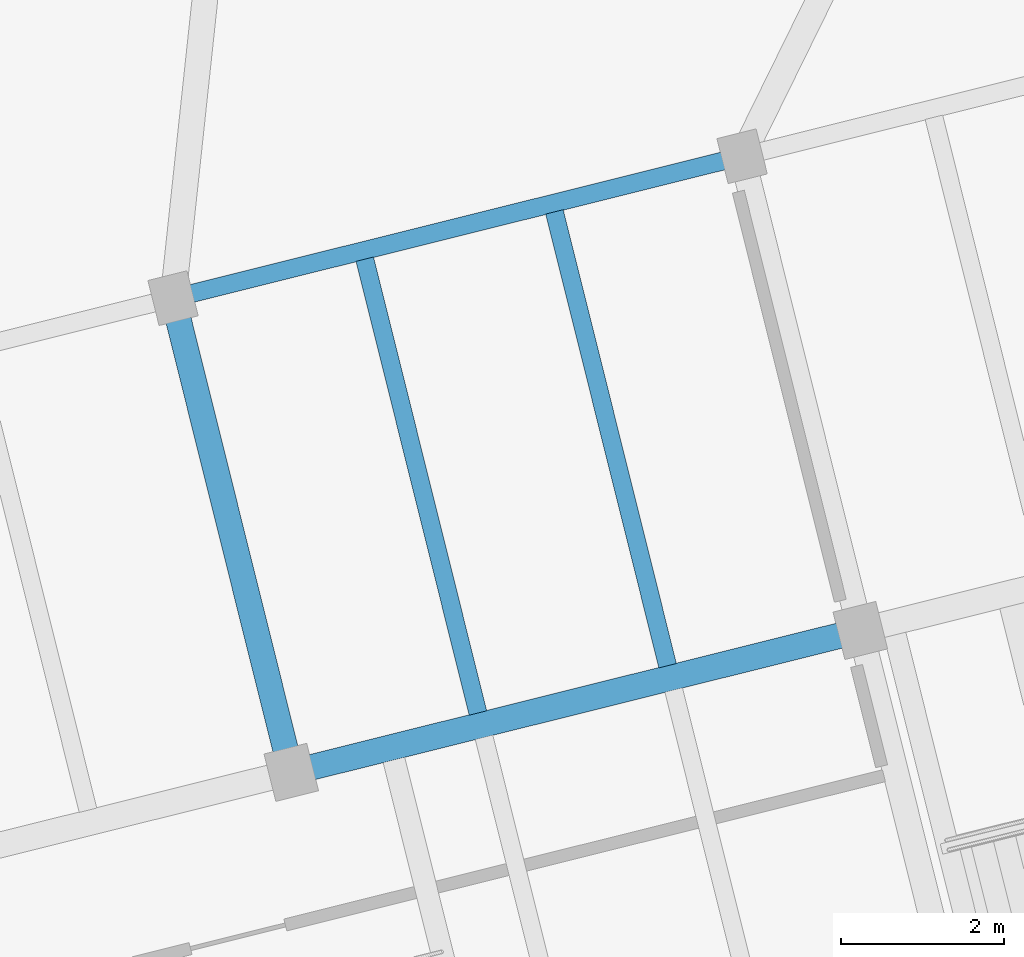
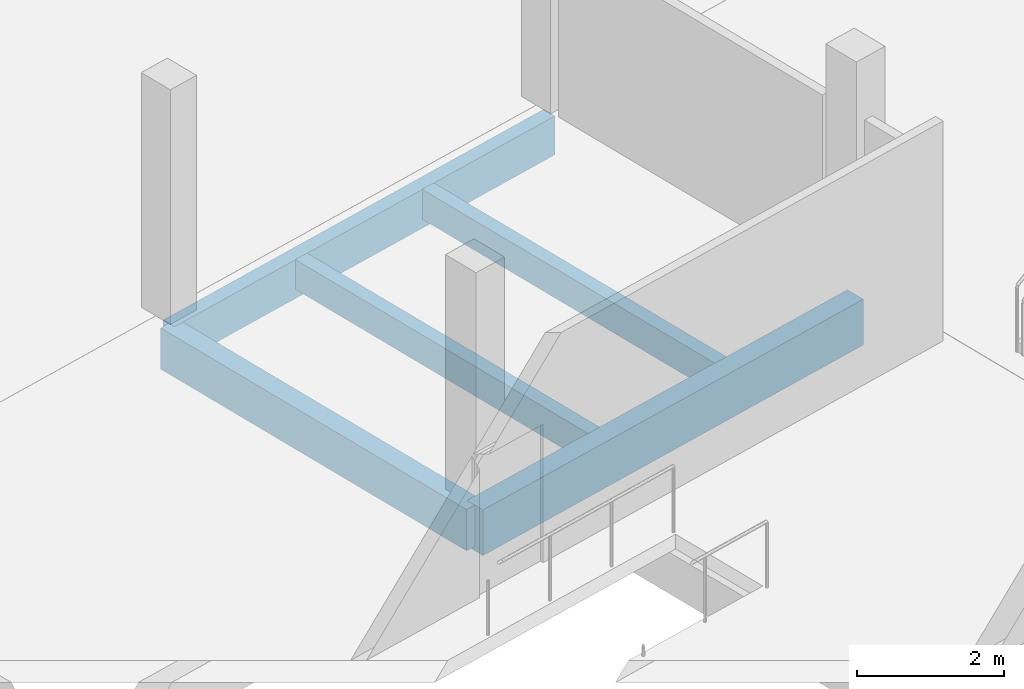
# One storey, part 29 of 47: 5 beams.
"""IFC4 building model written with IfcOpenShell, lengths in metres."""

from ifc_helpers import new_model, si_unit, direction, frame, origin, origin_2d, place, context, subcontext, project, spatial, rectangle, extrude, material, material_profile, profile_set, type_object, element, save


model = new_model("IFC4")

# Units and contexts
model_context = context("Model", 3, precision=1e-05, world=origin(), true_north=direction((0.0, 1.0)))
body_context = subcontext(model_context, "Body", "Model", "MODEL_VIEW")
ifc_project = project(units=[si_unit("LENGTHUNIT", "METRE"), si_unit("AREAUNIT", "SQUARE_METRE"), si_unit("VOLUMEUNIT", "CUBIC_METRE"), si_unit("PLANEANGLEUNIT", "RADIAN"), si_unit("MASSUNIT", "GRAM", prefix="KILO")], contexts=[model_context])

# Site, building, storey
site_placement = place(None, origin())
site = spatial("IfcSite", under=ifc_project, at=site_placement, CompositionType="ELEMENT")
building_placement = place(site_placement, origin())
building = spatial("IfcBuilding", under=site, at=building_placement, Name="Meriwether Solvik Hall", CompositionType="ELEMENT")
storey_placement = place(building_placement, frame((0.0, 0.0, 18.300048828125)))
storey = spatial("IfcBuildingStorey", under=building, at=storey_placement, Name="L04", CompositionType="ELEMENT", Elevation=18.300048828125)

# Beams
ifc_material_1 = material(Name="Glulam Douglas-Fir 24F-V8 GL28h", Category="wood")
ifc_material_profile_1 = material_profile(ifc_material_1, rectangle(XDim=0.221923828125, YDim=0.64501953125, at=origin_2d()), Name="GLB-222X645")
ifc_profile_set_1 = profile_set([ifc_material_profile_1], Name="Glulam Douglas-Fir 24F-V8 GL28h")
beam_type_1 = type_object("IfcBeamType", Name="BM-GL-222X645", PredefinedType="SPANDREL", material=ifc_profile_set_1)
beam_1_placement = place(storey_placement, frame((67.7490234375, 76.028564453125, -0.567626953125), z_axis=(0.970291911955, 0.241937193493, 0.0), x_axis=(-0.241937193493, 0.970291911955, 0.0)))
element("IfcBeam", 1, at=beam_1_placement, inside=storey, type_object=beam_type_1, Name="Tower Girder TF:T2-T3 (L04)", PredefinedType="SPANDREL", context=body_context, shape_type="SweptSolid", body=[
    extrude(rectangle(XDim=0.221923828125, YDim=0.64501953125, at=origin_2d()), origin(), (0.0, 0.0, 1.0), 7.199951171875),
])
ifc_material_2 = material(Name="Glulam Douglas-Fir 24F-V8 GL28h", Category="wood")
ifc_material_profile_2 = material_profile(ifc_material_2, rectangle(XDim=0.31494140625, YDim=0.68505859375, at=origin_2d()), Name="GLB-315X685")
ifc_profile_set_2 = profile_set([ifc_material_profile_2], Name="Glulam Douglas-Fir 24F-V8 GL28h")
beam_type_2 = type_object("IfcBeamType", Name="BM-GL-315X685", PredefinedType="BEAM", material=ifc_profile_set_2)
beam_2_placement = place(storey_placement, frame((69.200439453125, 70.206787109375, -0.587646484375), z_axis=(-0.241903677572, 0.970300268359, 0.0), x_axis=(-0.970300268359, -0.241903677572, 0.0)))
element("IfcBeam", 2, at=beam_2_placement, inside=storey, type_object=beam_type_2, Name="Tower Girder T2:TE-TF (L04)", PredefinedType="BEAM", context=body_context, shape_type="SweptSolid", body=[
    extrude(rectangle(XDim=0.31494140625, YDim=0.68505859375, at=origin_2d()), origin(), (0.0, 0.0, 1.0), 6.0),
])
ifc_material_3 = material(Name="Glulam Douglas-Fir 24F-V8 GL28h", Category="wood")
ifc_material_profile_3 = material_profile(ifc_material_3, rectangle(XDim=0.31494140625, YDim=0.760009765625, at=origin_2d()), Name="GLB-315X760")
ifc_profile_set_3 = profile_set([ifc_material_profile_3], Name="Glulam Douglas-Fir 24F-V8 GL28h")
beam_type_3 = type_object("IfcBeamType", Name="BM-GL-315X760", PredefinedType="BEAM", material=ifc_profile_set_3)
beam_3_placement = place(storey_placement, frame((69.200439453125, 70.206787109375, -0.625), z_axis=(0.970291911955, 0.241937193493, 0.0), x_axis=(-0.241937193493, 0.970291911955, 0.0)))
element("IfcBeam", 3, at=beam_3_placement, inside=storey, type_object=beam_type_3, Name="Tower Girder TE:T2-T3 (L04)", PredefinedType="BEAM", context=body_context, shape_type="SweptSolid", body=[
    extrude(rectangle(XDim=0.31494140625, YDim=0.760009765625, at=origin_2d()), origin(), (0.0, 0.0, 1.0), 7.199951171875),
])
ifc_material_4 = material(Name="Glulam Douglas-Fir 24F-V8 GL28h", Category="wood")
ifc_material_profile_4 = material_profile(ifc_material_4, rectangle(XDim=0.221923828125, YDim=0.4951171875, at=origin_2d()), Name="GLJ-222X495")
ifc_profile_set_4 = profile_set([ifc_material_profile_4], Name="Glulam Douglas-Fir 24F-V8 GL28h")
beam_type_4 = type_object("IfcBeamType", Name="JST-GL-222X495", PredefinedType="JOIST", material=ifc_profile_set_4)
for number, where, z_axis, x_axis, name in (
    (4, (71.4921875, 70.935546875, -0.492431640625), (-0.241915235082, 0.970297386905, 0.0), (-0.970297386905, -0.241915235082, 0.0), "Glulam Floor Joist T2/TE-J1 (L04)"),
    (5, (73.821044921875, 71.51611328125, -0.492431640625), (-0.241955269204, 0.970287404692, 0.0), (-0.970287404692, -0.241955269204, 0.0), "Glulam Floor Joist T2/TE-J2 (L04)"),
):
    element("IfcBeam", number, at=place(storey_placement, frame(where, z_axis=z_axis, x_axis=x_axis)), inside=storey, type_object=beam_type_4, Name=name, PredefinedType="JOIST", context=body_context, shape_type="SweptSolid", body=[
        extrude(rectangle(XDim=0.221923828125, YDim=0.4951171875, at=origin_2d()), origin(), (0.0, 0.0, 1.0), 5.741455078125),
    ])

save(model, "model.ifc")
